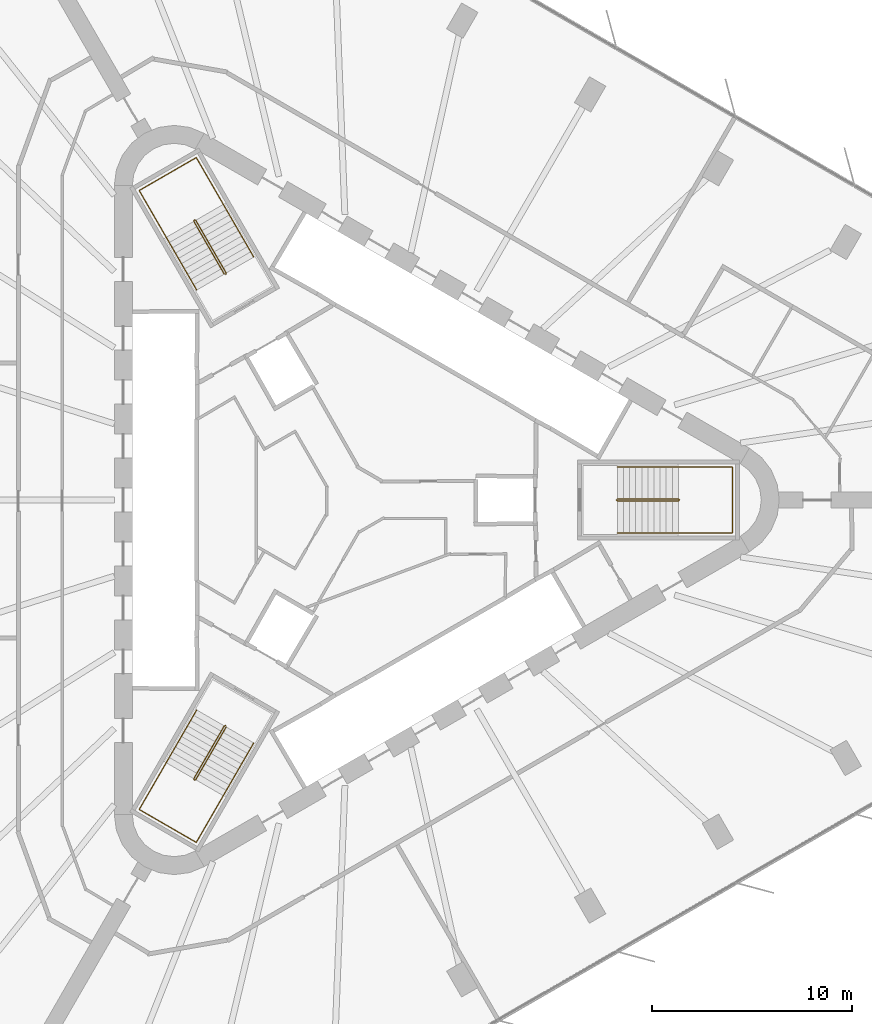
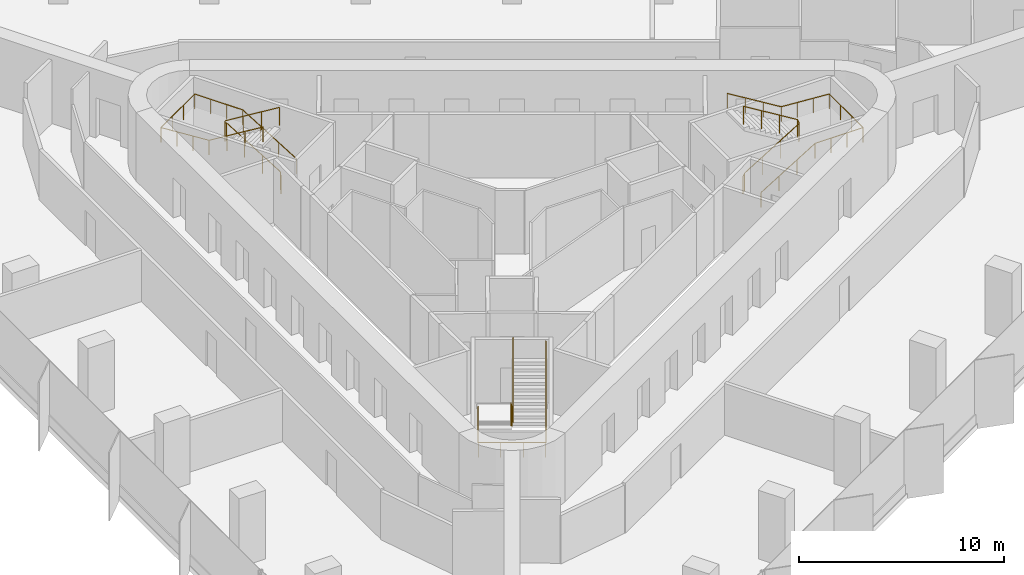
# One storey, part 14 of 14: 6 railings.
"""IFC4 building model written with IfcOpenShell, lengths in metres."""

from ifc_helpers import new_model, si_unit, direction, frame, origin, origin_2d, place, context, subcontext, project, spatial, circle, extrude, material, type_object, element, save


model = new_model("IFC4")

# Units and contexts
model_context = context("Model", 3, precision=1e-05, world=origin(), true_north=direction((0.0, 1.0)))
body_context = subcontext(model_context, "Body", "Model", "MODEL_VIEW")
ifc_project = project(units=[si_unit("LENGTHUNIT", "METRE"), si_unit("AREAUNIT", "SQUARE_METRE"), si_unit("VOLUMEUNIT", "CUBIC_METRE"), si_unit("PLANEANGLEUNIT", "RADIAN"), si_unit("MASSUNIT", "GRAM", prefix="KILO")], contexts=[model_context])

# Site, building, storey
site_placement = place(None, origin())
site = spatial("IfcSite", under=ifc_project, at=site_placement, CompositionType="ELEMENT")
building_placement = place(site_placement, origin())
building = spatial("IfcBuilding", under=site, at=building_placement, Name="Tanit Gate Tower", CompositionType="ELEMENT")
storey_placement = place(building_placement, frame((0.0, 0.0, 45.5)))
storey = spatial("IfcBuildingStorey", under=building, at=storey_placement, Name="L07", CompositionType="ELEMENT", Elevation=45.5)

# Railings
ifc_material_1 = material(Name="Stainless steel balustrade", Category="steel")
railing_type_1 = type_object("IfcRailingType", Name="INT-STAIR-GUARD", PredefinedType="GUARDRAIL", material=ifc_material_1)
railing_1_placement = place(storey_placement, frame((13.044921875, 0.0048828125, 0.0)))
element("IfcRailing", 1, at=railing_1_placement, inside=storey, type_object=railing_type_1, Name="L07 S1 stair guard 1", PredefinedType="GUARDRAIL", context=body_context, shape_type="SweptSolid", body=[
    extrude(circle(Radius=0.02392578125, at=origin_2d()), frame((0.0, 0.0, 1.076171875), z_axis=(0.0, -1.0, 0.0), x_axis=(1.0, 0.0, 0.0)), (0.0, 0.0, 1.0), 0.009765625),
    extrude(circle(Radius=0.02392578125, at=origin_2d()), frame((0.0, -0.009765625, 1.076171875), z_axis=(0.251157038772, -0.251157038772, 0.934794246747), x_axis=(0.707106781187, 0.707106781187, 0.0)), (0.0, 0.0, 1.0), 0.19921875),
    extrude(circle(Radius=0.02392578125, at=origin_2d()), frame((0.050048828125, -0.059814453125, 1.26220703125), z_axis=(0.853374658889, 0.0, 0.521298083217), x_axis=(0.0, 1.0, 0.0)), (0.0, 0.0, 1.0), 3.5751953125),
    extrude(circle(Radius=0.02392578125, at=origin_2d()), frame((3.10107421875, -0.059814453125, 3.1259765625), z_axis=(0.707106781187, 0.707106781187, 0.0), x_axis=(-0.707106781187, 0.707106781187, 0.0)), (0.0, 0.0, 1.0), 0.07080078125),
    extrude(circle(Radius=0.02392578125, at=origin_2d()), frame((3.151123046875, -0.009765625, 3.1259765625), z_axis=(0.0, 1.0, 0.0), x_axis=(-1.0, 0.0, 0.0)), (0.0, 0.0, 1.0), 0.009765625),
    extrude(circle(Radius=0.02392578125, at=origin_2d()), frame((3.151123046875, 0.0, 3.1259765625), z_axis=(-0.251157038772, 0.251157038772, 0.934794246747), x_axis=(-0.707106781187, -0.707106781187, 0.0)), (0.0, 0.0, 1.0), 0.19921875),
    extrude(circle(Radius=0.02392578125, at=origin_2d()), frame((3.10107421875, 0.050048828125, 3.3125), z_axis=(-0.853374658889, 0.0, 0.521298083217), x_axis=(0.0, -1.0, 0.0)), (0.0, 0.0, 1.0), 3.5751953125),
    extrude(circle(Radius=0.02099609375, at=origin_2d()), origin(), (0.0, 0.0, 1.0), 1.052001953125),
    extrude(circle(Radius=0.02099609375, at=origin_2d()), frame((0.0, -0.009765625, 0.0)), (0.0, 0.0, 1.0), 1.052001953125),
    extrude(circle(Radius=0.02099609375, at=origin_2d()), frame((0.050048828125, -0.059814453125, 0.186279296875)), (0.0, 0.0, 1.0), 1.052001953125),
    extrude(circle(Radius=0.02099609375, at=origin_2d()), frame((1.067138671875, -0.059814453125, 0.8076171875)), (0.0, 0.0, 1.0), 1.052001953125),
    extrude(circle(Radius=0.02099609375, at=origin_2d()), frame((2.083984375, -0.059814453125, 1.4287109375)), (0.0, 0.0, 1.0), 1.052001953125),
    extrude(circle(Radius=0.02099609375, at=origin_2d()), frame((3.10107421875, -0.059814453125, 2.050048828125)), (0.0, 0.0, 1.0), 1.052001953125),
    extrude(circle(Radius=0.02099609375, at=origin_2d()), frame((3.151123046875, -0.009765625, 2.050048828125)), (0.0, 0.0, 1.0), 1.052001953125),
    extrude(circle(Radius=0.02099609375, at=origin_2d()), frame((3.151123046875, 0.0, 2.050048828125)), (0.0, 0.0, 1.0), 1.052001953125),
    extrude(circle(Radius=0.02099609375, at=origin_2d()), frame((3.10107421875, 0.050048828125, 2.236328125)), (0.0, 0.0, 1.0), 1.052001953125),
    extrude(circle(Radius=0.02099609375, at=origin_2d()), frame((2.083984375, 0.050048828125, 2.857666015625)), (0.0, 0.0, 1.0), 1.052001953125),
    extrude(circle(Radius=0.02099609375, at=origin_2d()), frame((1.067138671875, 0.050048828125, 3.478759765625)), (0.0, 0.0, 1.0), 1.052001953125),
    extrude(circle(Radius=0.02099609375, at=origin_2d()), frame((0.050048828125, 0.050048828125, 4.10009765625)), (0.0, 0.0, 1.0), 1.052001953125),
])
railing_2_placement = place(storey_placement, frame((-6.527099609375, 11.29345703125, 0.0)))
element("IfcRailing", 2, at=railing_2_placement, inside=storey, type_object=railing_type_1, Name="L07 S2 stair guard 1", PredefinedType="GUARDRAIL", context=body_context, shape_type="SweptSolid", body=[
    extrude(circle(Radius=0.02392578125, at=origin_2d()), frame((0.0, 0.0, 1.076171875), z_axis=(0.868243142124, 0.496138938357, 0.0), x_axis=(-0.496138938357, 0.868243142124, 0.0)), (0.0, 0.0, 1.0), 0.01171875),
    extrude(circle(Radius=0.02392578125, at=origin_2d()), frame((0.01025390625, 0.005859375, 1.076171875), z_axis=(0.091888445584, 0.343050196848, 0.93481178641), x_axis=(-0.965948051503, 0.258736085224, 0.0)), (0.0, 0.0, 1.0), 0.19921875),
    extrude(circle(Radius=0.02392578125, at=origin_2d()), frame((0.028564453125, 0.07421875, 1.26220703125), z_axis=(-0.426636495959, 0.738911183393, 0.521528104107), x_axis=(-0.866012246495, -0.500022788402, 0.0)), (0.0, 0.0, 1.0), 3.57373046875),
    extrude(circle(Radius=0.02392578125, at=origin_2d()), frame((-1.49609375, 2.71484375, 3.1259765625), z_axis=(-0.965715946433, 0.259601060869, 0.0), x_axis=(-0.259601060869, -0.965715946433, 0.0)), (0.0, 0.0, 1.0), 0.070556640625),
    extrude(circle(Radius=0.02392578125, at=origin_2d()), frame((-1.564208984375, 2.733154296875, 3.1259765625), z_axis=(-0.873197702015, -0.487366159264, 0.0), x_axis=(0.487366159264, -0.873197702015, 0.0)), (0.0, 0.0, 1.0), 0.011962890625),
    extrude(circle(Radius=0.02392578125, at=origin_2d()), frame((-1.57470703125, 2.727294921875, 3.1259765625), z_axis=(-0.091888445584, -0.343050196848, 0.93481178641), x_axis=(0.965948051503, -0.258736085224, 0.0)), (0.0, 0.0, 1.0), 0.19921875),
    extrude(circle(Radius=0.02392578125, at=origin_2d()), frame((-1.593017578125, 2.658935546875, 3.3125), z_axis=(0.426636495959, -0.738911183393, 0.521528104107), x_axis=(0.866012246495, 0.500022788402, 0.0)), (0.0, 0.0, 1.0), 3.57373046875),
    extrude(circle(Radius=0.02099609375, at=origin_2d()), origin(), (0.0, 0.0, 1.0), 1.052001953125),
    extrude(circle(Radius=0.02099609375, at=origin_2d()), frame((0.01025390625, 0.005859375, 0.0)), (0.0, 0.0, 1.0), 1.052001953125),
    extrude(circle(Radius=0.02099609375, at=origin_2d()), frame((0.028564453125, 0.07421875, 0.186279296875)), (0.0, 0.0, 1.0), 1.052001953125),
    extrude(circle(Radius=0.02099609375, at=origin_2d()), frame((-0.479736328125, 0.954345703125, 0.8076171875)), (0.0, 0.0, 1.0), 1.052001953125),
    extrude(circle(Radius=0.02099609375, at=origin_2d()), frame((-0.98779296875, 1.834716796875, 1.4287109375)), (0.0, 0.0, 1.0), 1.052001953125),
    extrude(circle(Radius=0.02099609375, at=origin_2d()), frame((-1.49609375, 2.71484375, 2.050048828125)), (0.0, 0.0, 1.0), 1.052001953125),
    extrude(circle(Radius=0.02099609375, at=origin_2d()), frame((-1.564208984375, 2.733154296875, 2.050048828125)), (0.0, 0.0, 1.0), 1.052001953125),
    extrude(circle(Radius=0.02099609375, at=origin_2d()), frame((-1.57470703125, 2.727294921875, 2.050048828125)), (0.0, 0.0, 1.0), 1.052001953125),
    extrude(circle(Radius=0.02099609375, at=origin_2d()), frame((-1.593017578125, 2.658935546875, 2.236328125)), (0.0, 0.0, 1.0), 1.052001953125),
    extrude(circle(Radius=0.02099609375, at=origin_2d()), frame((-1.084716796875, 1.77880859375, 2.857666015625)), (0.0, 0.0, 1.0), 1.052001953125),
    extrude(circle(Radius=0.02099609375, at=origin_2d()), frame((-0.57666015625, 0.8984375, 3.478759765625)), (0.0, 0.0, 1.0), 1.052001953125),
    extrude(circle(Radius=0.02099609375, at=origin_2d()), frame((-0.068359375, 0.018310546875, 4.10009765625)), (0.0, 0.0, 1.0), 1.052001953125),
])
railing_3_placement = place(storey_placement, frame((-6.51806640625, -11.2998046875, 0.0)))
element("IfcRailing", 3, at=railing_3_placement, inside=storey, type_object=railing_type_1, Name="L07 S3 stair guard 1", PredefinedType="GUARDRAIL", context=body_context, shape_type="SweptSolid", body=[
    extrude(circle(Radius=0.02392578125, at=origin_2d()), frame((0.0, 0.0, 1.076171875), z_axis=(-0.874157276122, 0.485642931179, 0.0), x_axis=(-0.485642931179, -0.874157276122, 0.0)), (0.0, 0.0, 1.0), 0.010009765625),
    extrude(circle(Radius=0.02392578125, at=origin_2d()), frame((-0.0087890625, 0.0048828125, 1.076171875), z_axis=(-0.343088566343, -0.090673406819, 0.934916343285), x_axis=(0.255512919477, -0.966805641264, 0.0)), (0.0, 0.0, 1.0), 0.19921875),
    extrude(circle(Radius=0.02392578125, at=origin_2d()), frame((-0.0771484375, -0.01318359375, 1.26220703125), z_axis=(-0.42665336134, -0.739063593114, 0.52129829713), x_axis=(0.866048339477, -0.499960272111, 0.0)), (0.0, 0.0, 1.0), 3.5751953125),
    extrude(circle(Radius=0.02392578125, at=origin_2d()), frame((-1.6025390625, -2.655517578125, 3.1259765625), z_axis=(0.258736085224, -0.965948051503, 0.0), x_axis=(0.965948051503, 0.258736085224, 0.0)), (0.0, 0.0, 1.0), 0.07080078125),
    extrude(circle(Radius=0.02392578125, at=origin_2d()), frame((-1.584228515625, -2.723876953125, 3.1259765625), z_axis=(0.868243142124, -0.496138938357, 0.0), x_axis=(0.496138938357, 0.868243142124, 0.0)), (0.0, 0.0, 1.0), 0.009765625),
    extrude(circle(Radius=0.02392578125, at=origin_2d()), frame((-1.57568359375, -2.728759765625, 3.1259765625), z_axis=(0.343050196848, 0.091888445584, 0.93481178641), x_axis=(-0.258736085224, 0.965948051503, 0.0)), (0.0, 0.0, 1.0), 0.19921875),
    extrude(circle(Radius=0.02392578125, at=origin_2d()), frame((-1.50732421875, -2.71044921875, 3.3125), z_axis=(0.42673074944, 0.739011069041, 0.521309416102), x_axis=(-0.865993683553, 0.500054937028, 0.0)), (0.0, 0.0, 1.0), 3.5751953125),
    extrude(circle(Radius=0.02099609375, at=origin_2d()), origin(), (0.0, 0.0, 1.0), 1.052001953125),
    extrude(circle(Radius=0.02099609375, at=origin_2d()), frame((-0.0087890625, 0.0048828125, 0.0)), (0.0, 0.0, 1.0), 1.052001953125),
    extrude(circle(Radius=0.02099609375, at=origin_2d()), frame((-0.0771484375, -0.01318359375, 0.186279296875)), (0.0, 0.0, 1.0), 1.052001953125),
    extrude(circle(Radius=0.02099609375, at=origin_2d()), frame((-0.585693359375, -0.89404296875, 0.8076171875)), (0.0, 0.0, 1.0), 1.052001953125),
    extrude(circle(Radius=0.02099609375, at=origin_2d()), frame((-1.093994140625, -1.774658203125, 1.4287109375)), (0.0, 0.0, 1.0), 1.052001953125),
    extrude(circle(Radius=0.02099609375, at=origin_2d()), frame((-1.6025390625, -2.655517578125, 2.050048828125)), (0.0, 0.0, 1.0), 1.052001953125),
    extrude(circle(Radius=0.02099609375, at=origin_2d()), frame((-1.584228515625, -2.723876953125, 2.050048828125)), (0.0, 0.0, 1.0), 1.052001953125),
    extrude(circle(Radius=0.02099609375, at=origin_2d()), frame((-1.57568359375, -2.728759765625, 2.050048828125)), (0.0, 0.0, 1.0), 1.052001953125),
    extrude(circle(Radius=0.02099609375, at=origin_2d()), frame((-1.50732421875, -2.71044921875, 2.236328125)), (0.0, 0.0, 1.0), 1.052001953125),
    extrude(circle(Radius=0.02099609375, at=origin_2d()), frame((-0.998779296875, -1.829833984375, 2.857666015625)), (0.0, 0.0, 1.0), 1.052001953125),
    extrude(circle(Radius=0.02099609375, at=origin_2d()), frame((-0.490234375, -0.948974609375, 3.478759765625)), (0.0, 0.0, 1.0), 1.052001953125),
    extrude(circle(Radius=0.02099609375, at=origin_2d()), frame((0.018310546875, -0.068359375, 4.10009765625)), (0.0, 0.0, 1.0), 1.052001953125),
])
ifc_material_2 = material(Name="Stainless steel handrail", Category="steel")
railing_type_2 = type_object("IfcRailingType", Name="INT-STAIR-HANDRAIL", PredefinedType="HANDRAIL", material=ifc_material_2)
railing_4_placement = place(storey_placement, frame((13.094970703125, -1.64990234375, 0.186279296875)))
element("IfcRailing", 4, at=railing_4_placement, inside=storey, type_object=railing_type_2, Name="L07 S1 stair handrail 1", PredefinedType="HANDRAIL", context=body_context, shape_type="SweptSolid", body=[
    extrude(circle(Radius=0.02392578125, at=origin_2d()), frame((0.0, 0.0, 0.8759765625), z_axis=(0.853374658889, 0.0, 0.521298083217), x_axis=(0.0, 1.0, 0.0)), (0.0, 0.0, 1.0), 3.5751953125),
    extrude(circle(Radius=0.02392578125, at=origin_2d()), frame((3.051025390625, 0.0, 2.73974609375), z_axis=(1.0, 0.0, 0.0), x_axis=(0.0, 1.0, 0.0)), (0.0, 0.0, 1.0), 2.7041015625),
    extrude(circle(Radius=0.02392578125, at=origin_2d()), frame((5.755126953125, 0.0, 2.73974609375), z_axis=(0.0, 1.0, 0.0), x_axis=(-1.0, 0.0, 0.0)), (0.0, 0.0, 1.0), 3.2998046875),
    extrude(circle(Radius=0.02392578125, at=origin_2d()), frame((5.755126953125, 3.2998046875, 2.73974609375), z_axis=(-0.997635655124, 0.0, 0.06872481084), x_axis=(0.0, -1.0, 0.0)), (0.0, 0.0, 1.0), 2.71044921875),
    extrude(circle(Radius=0.02392578125, at=origin_2d()), frame((3.051025390625, 3.2998046875, 2.92578125), z_axis=(-0.853374658889, 0.0, 0.521298083217), x_axis=(0.0, -1.0, 0.0)), (0.0, 0.0, 1.0), 3.5751953125),
    extrude(circle(Radius=0.02099609375, at=origin_2d()), origin(), (0.0, 0.0, 1.0), 0.851806640625),
    extrude(circle(Radius=0.02099609375, at=origin_2d()), frame((1.01708984375, 0.0, 0.621337890625)), (0.0, 0.0, 1.0), 0.851806640625),
    extrude(circle(Radius=0.02099609375, at=origin_2d()), frame((2.033935546875, 0.0, 1.242431640625)), (0.0, 0.0, 1.0), 0.851806640625),
    extrude(circle(Radius=0.02099609375, at=origin_2d()), frame((3.051025390625, 0.0, 1.86376953125)), (0.0, 0.0, 1.0), 0.851806640625),
    extrude(circle(Radius=0.02099609375, at=origin_2d()), frame((3.952392578125, 0.0, 1.86376953125)), (0.0, 0.0, 1.0), 0.851806640625),
    extrude(circle(Radius=0.02099609375, at=origin_2d()), frame((4.853759765625, 0.0, 1.86376953125)), (0.0, 0.0, 1.0), 0.851806640625),
    extrude(circle(Radius=0.02099609375, at=origin_2d()), frame((5.755126953125, 0.0, 1.86376953125)), (0.0, 0.0, 1.0), 0.851806640625),
    extrude(circle(Radius=0.02099609375, at=origin_2d()), frame((5.755126953125, 1.099853515625, 1.86376953125)), (0.0, 0.0, 1.0), 0.851806640625),
    extrude(circle(Radius=0.02099609375, at=origin_2d()), frame((5.755126953125, 2.199951171875, 1.86376953125)), (0.0, 0.0, 1.0), 0.851806640625),
    extrude(circle(Radius=0.02099609375, at=origin_2d()), frame((5.755126953125, 3.2998046875, 1.86376953125)), (0.0, 0.0, 1.0), 0.851806640625),
    extrude(circle(Radius=0.02099609375, at=origin_2d()), frame((4.853759765625, 3.2998046875, 1.92578125)), (0.0, 0.0, 1.0), 0.851806640625),
    extrude(circle(Radius=0.02099609375, at=origin_2d()), frame((3.952392578125, 3.2998046875, 1.988037109375)), (0.0, 0.0, 1.0), 0.851806640625),
    extrude(circle(Radius=0.02099609375, at=origin_2d()), frame((3.051025390625, 3.2998046875, 2.050048828125)), (0.0, 0.0, 1.0), 0.851806640625),
    extrude(circle(Radius=0.02099609375, at=origin_2d()), frame((2.033935546875, 3.2998046875, 2.67138671875)), (0.0, 0.0, 1.0), 0.851806640625),
    extrude(circle(Radius=0.02099609375, at=origin_2d()), frame((1.01708984375, 3.2998046875, 3.29248046875)), (0.0, 0.0, 1.0), 0.851806640625),
    extrude(circle(Radius=0.02099609375, at=origin_2d()), frame((0.0, 3.2998046875, 3.913818359375)), (0.0, 0.0, 1.0), 0.851806640625),
])
railing_5_placement = place(storey_placement, frame((-5.1181640625, 12.164794921875, 0.186279296875)))
element("IfcRailing", 5, at=railing_5_placement, inside=storey, type_object=railing_type_2, Name="L07 S2 stair handrail 1", PredefinedType="HANDRAIL", context=body_context, shape_type="SweptSolid", body=[
    extrude(circle(Radius=0.02392578125, at=origin_2d()), frame((0.0, 0.0, 0.8759765625), z_axis=(-0.426580611902, 0.738932719144, 0.521543304174), x_axis=(-0.866046917185, -0.499962735845, 0.0)), (0.0, 0.0, 1.0), 3.573486328125),
    extrude(circle(Radius=0.02392578125, at=origin_2d()), frame((-1.5244140625, 2.640625, 2.73974609375), z_axis=(-0.500019123664, 0.86601436245, 0.0), x_axis=(-0.86601436245, -0.500019123664, 0.0)), (0.0, 0.0, 1.0), 2.70703125),
    extrude(circle(Radius=0.02392578125, at=origin_2d()), frame((-2.8779296875, 4.98486328125, 2.73974609375), z_axis=(-0.866008176907, -0.50002983664, 0.0), x_axis=(0.50002983664, -0.866008176907, 0.0)), (0.0, 0.0, 1.0), 3.300048828125),
    extrude(circle(Radius=0.02392578125, at=origin_2d()), frame((-5.73583984375, 3.334716796875, 2.73974609375), z_axis=(0.498878146149, -0.863948246966, 0.06865873476), x_axis=(0.865991810323, 0.500058181068, 0.0)), (0.0, 0.0, 1.0), 2.713134765625),
    extrude(circle(Radius=0.02392578125, at=origin_2d()), frame((-4.38232421875, 0.99072265625, 2.92578125), z_axis=(0.42661496006, -0.738942197433, 0.521501778238), x_axis=(0.866032263162, 0.499988119021, 0.0)), (0.0, 0.0, 1.0), 3.57373046875),
    extrude(circle(Radius=0.02099609375, at=origin_2d()), origin(), (0.0, 0.0, 1.0), 0.851806640625),
    extrude(circle(Radius=0.02099609375, at=origin_2d()), frame((-0.508056640625, 0.880126953125, 0.621337890625)), (0.0, 0.0, 1.0), 0.851806640625),
    extrude(circle(Radius=0.02099609375, at=origin_2d()), frame((-1.016357421875, 1.760498046875, 1.242431640625)), (0.0, 0.0, 1.0), 0.851806640625),
    extrude(circle(Radius=0.02099609375, at=origin_2d()), frame((-1.5244140625, 2.640625, 1.86376953125)), (0.0, 0.0, 1.0), 0.851806640625),
    extrude(circle(Radius=0.02099609375, at=origin_2d()), frame((-1.9755859375, 3.422119140625, 1.86376953125)), (0.0, 0.0, 1.0), 0.851806640625),
    extrude(circle(Radius=0.02099609375, at=origin_2d()), frame((-2.4267578125, 4.203369140625, 1.86376953125)), (0.0, 0.0, 1.0), 0.851806640625),
    extrude(circle(Radius=0.02099609375, at=origin_2d()), frame((-2.8779296875, 4.98486328125, 1.86376953125)), (0.0, 0.0, 1.0), 0.851806640625),
    extrude(circle(Radius=0.02099609375, at=origin_2d()), frame((-3.83056640625, 4.434814453125, 1.86376953125)), (0.0, 0.0, 1.0), 0.851806640625),
    extrude(circle(Radius=0.02099609375, at=origin_2d()), frame((-4.783203125, 3.884765625, 1.86376953125)), (0.0, 0.0, 1.0), 0.851806640625),
    extrude(circle(Radius=0.02099609375, at=origin_2d()), frame((-5.73583984375, 3.334716796875, 1.86376953125)), (0.0, 0.0, 1.0), 0.851806640625),
    extrude(circle(Radius=0.02099609375, at=origin_2d()), frame((-5.28466796875, 2.553466796875, 1.92578125)), (0.0, 0.0, 1.0), 0.851806640625),
    extrude(circle(Radius=0.02099609375, at=origin_2d()), frame((-4.83349609375, 1.77197265625, 1.988037109375)), (0.0, 0.0, 1.0), 0.851806640625),
    extrude(circle(Radius=0.02099609375, at=origin_2d()), frame((-4.38232421875, 0.99072265625, 2.050048828125)), (0.0, 0.0, 1.0), 0.851806640625),
    extrude(circle(Radius=0.02099609375, at=origin_2d()), frame((-3.8740234375, 0.1103515625, 2.67138671875)), (0.0, 0.0, 1.0), 0.851806640625),
    extrude(circle(Radius=0.02099609375, at=origin_2d()), frame((-3.365966796875, -0.769775390625, 3.29248046875)), (0.0, 0.0, 1.0), 0.851806640625),
    extrude(circle(Radius=0.02099609375, at=origin_2d()), frame((-2.857666015625, -1.650146484375, 3.913818359375)), (0.0, 0.0, 1.0), 0.851806640625),
])
railing_6_placement = place(storey_placement, frame((-7.9765625, -10.515625, 0.186279296875)))
element("IfcRailing", 6, at=railing_6_placement, inside=storey, type_object=railing_type_2, Name="L07 S3 stair handrail 1", PredefinedType="HANDRAIL", context=body_context, shape_type="SweptSolid", body=[
    extrude(circle(Radius=0.02392578125, at=origin_2d()), frame((0.0, 0.0, 0.8759765625), z_axis=(-0.42665336134, -0.739063593114, 0.52129829713), x_axis=(0.866048339477, -0.499960272111, 0.0)), (0.0, 0.0, 1.0), 3.5751953125),
    extrude(circle(Radius=0.02392578125, at=origin_2d()), frame((-1.525390625, -2.642333984375, 2.73974609375), z_axis=(-0.50004290449, -0.866000631449, 0.0), x_axis=(0.866000631449, -0.50004290449, 0.0)), (0.0, 0.0, 1.0), 2.703857421875),
    extrude(circle(Radius=0.02392578125, at=origin_2d()), frame((-2.87744140625, -4.98388671875, 2.73974609375), z_axis=(0.866008176907, -0.50002983664, 0.0), x_axis=(0.50002983664, 0.866008176907, 0.0)), (0.0, 0.0, 1.0), 3.300048828125),
    extrude(circle(Radius=0.02392578125, at=origin_2d()), frame((-0.01953125, -6.634033203125, 2.73974609375), z_axis=(0.498821607388, 0.86397559734, 0.068725331607), x_axis=(-0.866023205937, 0.500003806764, 0.0)), (0.0, 0.0, 1.0), 2.71044921875),
    extrude(circle(Radius=0.02392578125, at=origin_2d()), frame((1.33251953125, -4.292236328125, 2.92578125), z_axis=(0.42665336134, 0.739063593114, 0.52129829713), x_axis=(-0.866048339477, 0.499960272111, 0.0)), (0.0, 0.0, 1.0), 3.5751953125),
    extrude(circle(Radius=0.02099609375, at=origin_2d()), origin(), (0.0, 0.0, 1.0), 0.851806640625),
    extrude(circle(Radius=0.02099609375, at=origin_2d()), frame((-0.508544921875, -0.880859375, 0.621337890625)), (0.0, 0.0, 1.0), 0.851806640625),
    extrude(circle(Radius=0.02099609375, at=origin_2d()), frame((-1.016845703125, -1.761474609375, 1.242431640625)), (0.0, 0.0, 1.0), 0.851806640625),
    extrude(circle(Radius=0.02099609375, at=origin_2d()), frame((-1.525390625, -2.642333984375, 1.86376953125)), (0.0, 0.0, 1.0), 0.851806640625),
    extrude(circle(Radius=0.02099609375, at=origin_2d()), frame((-1.97607421875, -3.4228515625, 1.86376953125)), (0.0, 0.0, 1.0), 0.851806640625),
    extrude(circle(Radius=0.02099609375, at=origin_2d()), frame((-2.4267578125, -4.203369140625, 1.86376953125)), (0.0, 0.0, 1.0), 0.851806640625),
    extrude(circle(Radius=0.02099609375, at=origin_2d()), frame((-2.87744140625, -4.98388671875, 1.86376953125)), (0.0, 0.0, 1.0), 0.851806640625),
    extrude(circle(Radius=0.02099609375, at=origin_2d()), frame((-1.9248046875, -5.533935546875, 1.86376953125)), (0.0, 0.0, 1.0), 0.851806640625),
    extrude(circle(Radius=0.02099609375, at=origin_2d()), frame((-0.97216796875, -6.083984375, 1.86376953125)), (0.0, 0.0, 1.0), 0.851806640625),
    extrude(circle(Radius=0.02099609375, at=origin_2d()), frame((-0.01953125, -6.634033203125, 1.86376953125)), (0.0, 0.0, 1.0), 0.851806640625),
    extrude(circle(Radius=0.02099609375, at=origin_2d()), frame((0.43115234375, -5.853515625, 1.92578125)), (0.0, 0.0, 1.0), 0.851806640625),
    extrude(circle(Radius=0.02099609375, at=origin_2d()), frame((0.8818359375, -5.07275390625, 1.988037109375)), (0.0, 0.0, 1.0), 0.851806640625),
    extrude(circle(Radius=0.02099609375, at=origin_2d()), frame((1.33251953125, -4.292236328125, 2.050048828125)), (0.0, 0.0, 1.0), 0.851806640625),
    extrude(circle(Radius=0.02099609375, at=origin_2d()), frame((1.841064453125, -3.411376953125, 2.67138671875)), (0.0, 0.0, 1.0), 0.851806640625),
    extrude(circle(Radius=0.02099609375, at=origin_2d()), frame((2.349365234375, -2.53076171875, 3.29248046875)), (0.0, 0.0, 1.0), 0.851806640625),
    extrude(circle(Radius=0.02099609375, at=origin_2d()), frame((2.85791015625, -1.64990234375, 3.913818359375)), (0.0, 0.0, 1.0), 0.851806640625),
])

save(model, "model.ifc")
